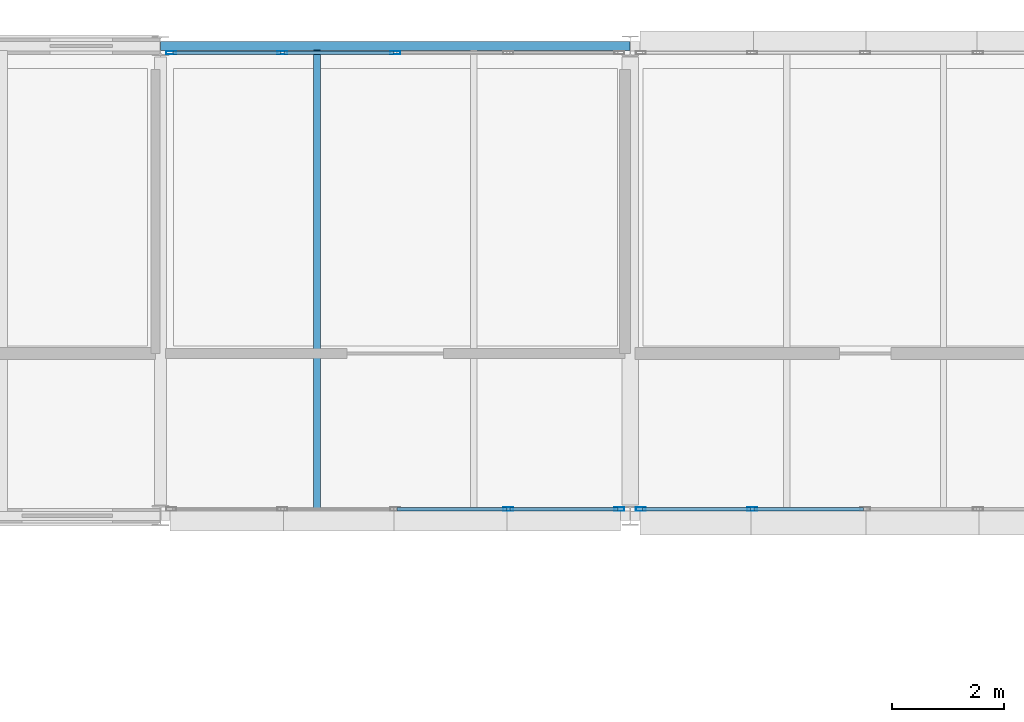
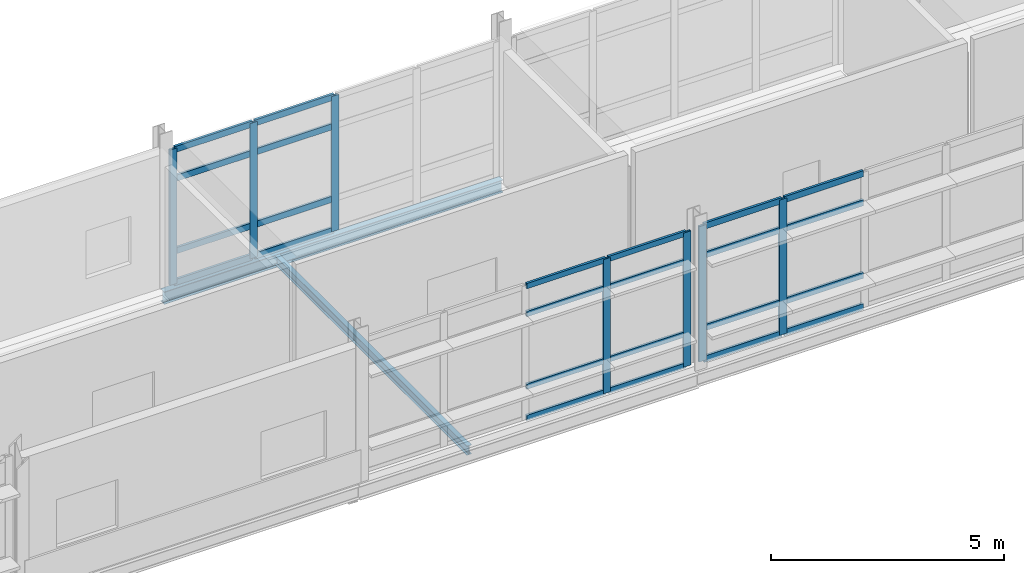
# One storey, part 16 of 66: 31 members, 2 beams, 3 elements without a shape of their own.
"""IFC4 building model written with IfcOpenShell, lengths in metres."""

from ifc_helpers import new_model, si_unit, direction, frame, origin, origin_2d, place, context, subcontext, project, spatial, hollow_rectangle, i_section, extrude, material, material_profile, profile_set, type_object, element, aggregate, save


model = new_model("IFC4")

# Units and contexts
model_context = context("Model", 3, precision=1e-05, world=origin(), true_north=direction((0.0, 1.0)))
body_context = subcontext(model_context, "Body", "Model", "MODEL_VIEW")
ifc_project = project(units=[si_unit("LENGTHUNIT", "METRE"), si_unit("AREAUNIT", "SQUARE_METRE"), si_unit("VOLUMEUNIT", "CUBIC_METRE"), si_unit("PLANEANGLEUNIT", "RADIAN"), si_unit("MASSUNIT", "GRAM", prefix="KILO")], contexts=[model_context])

# Site, building, storey
site_placement = place(None, origin())
site = spatial("IfcSite", under=ifc_project, at=site_placement, CompositionType="ELEMENT")
building_placement = place(site_placement, origin())
building = spatial("IfcBuilding", under=site, at=building_placement, Name="Mersafa Astral City Hall", CompositionType="ELEMENT")
storey_placement = place(building_placement, frame((0.0, 0.0, 22.050048828125)))
storey = spatial("IfcBuildingStorey", under=building, at=storey_placement, Name="L05", CompositionType="ELEMENT", Elevation=22.050048828125)

# Curtain wall, members
ifc_material_1 = material(Name="Anodised bronze aluminium framing", Category="aluminium")
curtain_wall_type_1 = type_object("IfcCurtainWallType", Name="ENV-CW-5", PredefinedType="USERDEFINED", material=ifc_material_1)
curtain_wall_1_placement = place(storey_placement, origin())
curtain_wall_1 = element("IfcCurtainWall", 1, at=curtain_wall_1_placement, inside=storey, type_object=curtain_wall_type_1, Name="L05 Unitised solar curtain wall 232", ObjectType="UNITISED CURTAIN WALL", PredefinedType="USERDEFINED")
ifc_material_profile_1 = material_profile(ifc_material_1, hollow_rectangle(XDim=0.06005859375, YDim=0.179931640625, WallThickness=0.00390625, at=origin_2d()), Name="RHS 60x180x4")
ifc_profile_set_1 = profile_set([ifc_material_profile_1], Name="Anodised bronze aluminium framing")
member_type_1 = type_object("IfcMemberType", Name="ENV-CW-MUL-1", PredefinedType="MULLION", material=ifc_profile_set_1)
member_1_placement = place(storey_placement, frame((88.199951171875, 125.8798828125, -0.001953125), z_axis=(0.0, 0.0, 1.0), x_axis=(0.0, -1.0, 0.0)))
member_1 = element("IfcMember", 2, at=member_1_placement, type_object=member_type_1, Name="CW-5 mullion 3", PredefinedType="MULLION", context=body_context, shape_type="SweptSolid", body=[
    extrude(hollow_rectangle(XDim=0.06005859375, YDim=0.179931640625, WallThickness=0.00390625, at=origin_2d()), origin(), (0.0, 0.0, 1.0), 3.5439453125),
])
member_2_placement = place(storey_placement, frame((86.180908203125, 125.8798828125, -0.001953125), z_axis=(0.0, 0.0, 1.0), x_axis=(0.0, -1.0, 0.0)))
member_2 = element("IfcMember", 3, at=member_2_placement, type_object=member_type_1, Name="CW-5 mullion 4", PredefinedType="MULLION", context=body_context, shape_type="SweptSolid", body=[
    extrude(hollow_rectangle(XDim=0.06005859375, YDim=0.179931640625, WallThickness=0.00390625, at=origin_2d()), origin(), (0.0, 0.0, 1.0), 3.5439453125),
])
member_3_placement = place(storey_placement, frame((84.19189453125, 125.8798828125, -0.001953125), z_axis=(0.0, 0.0, 1.0), x_axis=(0.0, -1.0, 0.0)))
member_3 = element("IfcMember", 4, at=member_3_placement, type_object=member_type_1, Name="CW-5 mullion 5", PredefinedType="MULLION", context=body_context, shape_type="SweptSolid", body=[
    extrude(hollow_rectangle(XDim=0.06005859375, YDim=0.179931640625, WallThickness=0.00390625, at=origin_2d()), origin(), (0.0, 0.0, 1.0), 3.5439453125),
])

curtain_wall_type_2 = type_object("IfcCurtainWallType", Name="ENV-CW-4", PredefinedType="USERDEFINED", material=ifc_material_1)
curtain_wall_2_placement = place(storey_placement, origin())
curtain_wall_2 = element("IfcCurtainWall", 5, at=curtain_wall_2_placement, inside=storey, type_object=curtain_wall_type_2, Name="L05 Unitised solar curtain wall 237", ObjectType="UNITISED CURTAIN WALL", PredefinedType="USERDEFINED")
member_4_placement = place(storey_placement, frame((90.218994140625, 117.719970703125, -0.001953125), z_axis=(0.0, 0.0, 1.0), x_axis=(0.0, 1.0, 0.0)))
member_4 = element("IfcMember", 6, at=member_4_placement, type_object=member_type_1, Name="CW-4 mullion 4", PredefinedType="MULLION", context=body_context, shape_type="SweptSolid", body=[
    extrude(hollow_rectangle(XDim=0.06005859375, YDim=0.179931640625, WallThickness=0.00390625, at=origin_2d()), origin(), (0.0, 0.0, 1.0), 3.513916015625),
])
member_5_placement = place(storey_placement, frame((92.2080078125, 117.719970703125, -0.001953125), z_axis=(0.0, 0.0, 1.0), x_axis=(0.0, 1.0, 0.0)))
member_5 = element("IfcMember", 7, at=member_5_placement, type_object=member_type_1, Name="CW-4 mullion 5", PredefinedType="MULLION", context=body_context, shape_type="SweptSolid", body=[
    extrude(hollow_rectangle(XDim=0.06005859375, YDim=0.179931640625, WallThickness=0.00390625, at=origin_2d()), origin(), (0.0, 0.0, 1.0), 3.513916015625),
])

curtain_wall_3_placement = place(storey_placement, origin())
curtain_wall_3 = element("IfcCurtainWall", 8, at=curtain_wall_3_placement, inside=storey, type_object=curtain_wall_type_1, Name="L05 Unitised solar curtain wall 238", ObjectType="UNITISED CURTAIN WALL", PredefinedType="USERDEFINED")
member_6_placement = place(storey_placement, frame((92.592041015625, 117.719970703125, -0.001953125), z_axis=(0.0, 0.0, 1.0), x_axis=(0.0, 1.0, 0.0)))
member_6 = element("IfcMember", 9, at=member_6_placement, type_object=member_type_1, Name="CW-5 mullion 1", PredefinedType="MULLION", context=body_context, shape_type="SweptSolid", body=[
    extrude(hollow_rectangle(XDim=0.06005859375, YDim=0.179931640625, WallThickness=0.00390625, at=origin_2d()), origin(), (0.0, 0.0, 1.0), 3.5439453125),
])
member_7_placement = place(storey_placement, frame((94.5810546875, 117.719970703125, -0.001953125), z_axis=(0.0, 0.0, 1.0), x_axis=(0.0, 1.0, 0.0)))
member_7 = element("IfcMember", 10, at=member_7_placement, type_object=member_type_1, Name="CW-5 mullion 2", PredefinedType="MULLION", context=body_context, shape_type="SweptSolid", body=[
    extrude(hollow_rectangle(XDim=0.06005859375, YDim=0.179931640625, WallThickness=0.00390625, at=origin_2d()), origin(), (0.0, 0.0, 1.0), 3.5439453125),
])

# Member
ifc_material_profile_2 = material_profile(ifc_material_1, hollow_rectangle(XDim=0.06005859375, YDim=0.139892578125, WallThickness=0.00390625, at=origin_2d()), Name="RHS 60x140x4")
ifc_profile_set_2 = profile_set([ifc_material_profile_2], Name="Anodised bronze aluminium framing")
member_type_2 = type_object("IfcMemberType", Name="ENV-CW-TRN-1", PredefinedType="USERDEFINED", material=ifc_profile_set_2)
member_8_placement = place(storey_placement, frame((88.22998046875, 117.719970703125, 0.02783203125), z_axis=(1.0, 0.0, 0.0), x_axis=(0.0, 1.0, 0.0)))
member_8 = element("IfcMember", 11, at=member_8_placement, type_object=member_type_2, Name="CW-4 transom 3.1", ObjectType="TRANSOM", PredefinedType="USERDEFINED", context=body_context, shape_type="SweptSolid", body=[
    extrude(hollow_rectangle(XDim=0.06005859375, YDim=0.139892578125, WallThickness=0.00390625, at=origin_2d()), origin(), (0.0, 0.0, 1.0), 1.958984375),
])

member_9_placement = place(storey_placement, frame((88.22998046875, 117.719970703125, 0.849853515625), z_axis=(1.0, 0.0, 0.0), x_axis=(0.0, 1.0, 0.0)))
member_9 = element("IfcMember", 12, at=member_9_placement, type_object=member_type_2, Name="CW-4 transom 3.2", ObjectType="TRANSOM", PredefinedType="USERDEFINED", context=body_context, shape_type="SweptSolid", body=[
    extrude(hollow_rectangle(XDim=0.06005859375, YDim=0.139892578125, WallThickness=0.00390625, at=origin_2d()), origin(), (0.0, 0.0, 1.0), 1.958984375),
])

member_10_placement = place(storey_placement, frame((88.22998046875, 117.719970703125, 2.75), z_axis=(1.0, 0.0, 0.0), x_axis=(0.0, 1.0, 0.0)))
member_10 = element("IfcMember", 13, at=member_10_placement, type_object=member_type_2, Name="CW-4 transom 3.3", ObjectType="TRANSOM", PredefinedType="USERDEFINED", context=body_context, shape_type="SweptSolid", body=[
    extrude(hollow_rectangle(XDim=0.06005859375, YDim=0.139892578125, WallThickness=0.00390625, at=origin_2d()), origin(), (0.0, 0.0, 1.0), 1.958984375),
])

member_11_placement = place(storey_placement, frame((88.22998046875, 117.719970703125, 3.48193359375), z_axis=(1.0, 0.0, 0.0), x_axis=(0.0, 1.0, 0.0)))
member_11 = element("IfcMember", 14, at=member_11_placement, type_object=member_type_2, Name="CW-4 transom 3.4", ObjectType="TRANSOM", PredefinedType="USERDEFINED", context=body_context, shape_type="SweptSolid", body=[
    extrude(hollow_rectangle(XDim=0.06005859375, YDim=0.139892578125, WallThickness=0.00390625, at=origin_2d()), origin(), (0.0, 0.0, 1.0), 1.958984375),
])

member_12_placement = place(storey_placement, frame((90.2490234375, 117.719970703125, 0.02783203125), z_axis=(1.0, 0.0, 0.0), x_axis=(0.0, 1.0, 0.0)))
member_12 = element("IfcMember", 15, at=member_12_placement, type_object=member_type_2, Name="CW-4 transom 4.1", ObjectType="TRANSOM", PredefinedType="USERDEFINED", context=body_context, shape_type="SweptSolid", body=[
    extrude(hollow_rectangle(XDim=0.06005859375, YDim=0.139892578125, WallThickness=0.00390625, at=origin_2d()), origin(), (0.0, 0.0, 1.0), 1.928955078125),
])

member_13_placement = place(storey_placement, frame((90.2490234375, 117.719970703125, 0.849853515625), z_axis=(1.0, 0.0, 0.0), x_axis=(0.0, 1.0, 0.0)))
member_13 = element("IfcMember", 16, at=member_13_placement, type_object=member_type_2, Name="CW-4 transom 4.2", ObjectType="TRANSOM", PredefinedType="USERDEFINED", context=body_context, shape_type="SweptSolid", body=[
    extrude(hollow_rectangle(XDim=0.06005859375, YDim=0.139892578125, WallThickness=0.00390625, at=origin_2d()), origin(), (0.0, 0.0, 1.0), 1.928955078125),
])

member_14_placement = place(storey_placement, frame((90.2490234375, 117.719970703125, 2.75), z_axis=(1.0, 0.0, 0.0), x_axis=(0.0, 1.0, 0.0)))
member_14 = element("IfcMember", 17, at=member_14_placement, type_object=member_type_2, Name="CW-4 transom 4.3", ObjectType="TRANSOM", PredefinedType="USERDEFINED", context=body_context, shape_type="SweptSolid", body=[
    extrude(hollow_rectangle(XDim=0.06005859375, YDim=0.139892578125, WallThickness=0.00390625, at=origin_2d()), origin(), (0.0, 0.0, 1.0), 1.928955078125),
])

member_15_placement = place(storey_placement, frame((90.2490234375, 117.719970703125, 3.48193359375), z_axis=(1.0, 0.0, 0.0), x_axis=(0.0, 1.0, 0.0)))
member_15 = element("IfcMember", 18, at=member_15_placement, type_object=member_type_2, Name="CW-4 transom 4.4", ObjectType="TRANSOM", PredefinedType="USERDEFINED", context=body_context, shape_type="SweptSolid", body=[
    extrude(hollow_rectangle(XDim=0.06005859375, YDim=0.139892578125, WallThickness=0.00390625, at=origin_2d()), origin(), (0.0, 0.0, 1.0), 1.928955078125),
])

aggregate(curtain_wall_2, [member_4, member_5, member_8, member_9, member_10, member_11, member_12, member_13, member_14, member_15])

ifc_material_profile_3 = material_profile(ifc_material_1, hollow_rectangle(XDim=0.06005859375, YDim=0.159912109375, WallThickness=0.00390625, at=origin_2d()), Name="RHS 60x160x4")
ifc_profile_set_3 = profile_set([ifc_material_profile_3], Name="Anodised bronze aluminium framing")
member_type_3 = type_object("IfcMemberType", Name="ENV-CW-TRN-2", PredefinedType="USERDEFINED", material=ifc_profile_set_3)
member_16_placement = place(storey_placement, frame((88.169921875, 125.8798828125, 0.02783203125), z_axis=(-1.0, 0.0, 0.0), x_axis=(0.0, -1.0, 0.0)))
member_16 = element("IfcMember", 19, at=member_16_placement, type_object=member_type_3, Name="CW-5 transom 3.1", ObjectType="TRANSOM", PredefinedType="USERDEFINED", context=body_context, shape_type="SweptSolid", body=[
    extrude(hollow_rectangle(XDim=0.06005859375, YDim=0.159912109375, WallThickness=0.00390625, at=origin_2d()), origin(), (0.0, 0.0, 1.0), 1.958984375),
])

member_17_placement = place(storey_placement, frame((88.169921875, 125.8798828125, 0.849853515625), z_axis=(-1.0, 0.0, 0.0), x_axis=(0.0, -1.0, 0.0)))
member_17 = element("IfcMember", 20, at=member_17_placement, type_object=member_type_3, Name="CW-5 transom 3.2", ObjectType="TRANSOM", PredefinedType="USERDEFINED", context=body_context, shape_type="SweptSolid", body=[
    extrude(hollow_rectangle(XDim=0.06005859375, YDim=0.159912109375, WallThickness=0.00390625, at=origin_2d()), origin(), (0.0, 0.0, 1.0), 1.958984375),
])

member_18_placement = place(storey_placement, frame((88.169921875, 125.8798828125, 2.75), z_axis=(-1.0, 0.0, 0.0), x_axis=(0.0, -1.0, 0.0)))
member_18 = element("IfcMember", 21, at=member_18_placement, type_object=member_type_3, Name="CW-5 transom 3.3", ObjectType="TRANSOM", PredefinedType="USERDEFINED", context=body_context, shape_type="SweptSolid", body=[
    extrude(hollow_rectangle(XDim=0.06005859375, YDim=0.159912109375, WallThickness=0.00390625, at=origin_2d()), origin(), (0.0, 0.0, 1.0), 1.958984375),
])

member_19_placement = place(storey_placement, frame((88.169921875, 125.8798828125, 3.511962890625), z_axis=(-1.0, 0.0, 0.0), x_axis=(0.0, -1.0, 0.0)))
member_19 = element("IfcMember", 22, at=member_19_placement, type_object=member_type_3, Name="CW-5 transom 3.4", ObjectType="TRANSOM", PredefinedType="USERDEFINED", context=body_context, shape_type="SweptSolid", body=[
    extrude(hollow_rectangle(XDim=0.06005859375, YDim=0.159912109375, WallThickness=0.00390625, at=origin_2d()), origin(), (0.0, 0.0, 1.0), 1.958984375),
])

member_20_placement = place(storey_placement, frame((86.15087890625, 125.8798828125, 0.02783203125), z_axis=(-1.0, 0.0, 0.0), x_axis=(0.0, -1.0, 0.0)))
member_20 = element("IfcMember", 23, at=member_20_placement, type_object=member_type_3, Name="CW-5 transom 4.1", ObjectType="TRANSOM", PredefinedType="USERDEFINED", context=body_context, shape_type="SweptSolid", body=[
    extrude(hollow_rectangle(XDim=0.06005859375, YDim=0.159912109375, WallThickness=0.00390625, at=origin_2d()), origin(), (0.0, 0.0, 1.0), 1.928955078125),
])

member_21_placement = place(storey_placement, frame((86.15087890625, 125.8798828125, 0.849853515625), z_axis=(-1.0, 0.0, 0.0), x_axis=(0.0, -1.0, 0.0)))
member_21 = element("IfcMember", 24, at=member_21_placement, type_object=member_type_3, Name="CW-5 transom 4.2", ObjectType="TRANSOM", PredefinedType="USERDEFINED", context=body_context, shape_type="SweptSolid", body=[
    extrude(hollow_rectangle(XDim=0.06005859375, YDim=0.159912109375, WallThickness=0.00390625, at=origin_2d()), origin(), (0.0, 0.0, 1.0), 1.928955078125),
])

member_22_placement = place(storey_placement, frame((86.15087890625, 125.8798828125, 2.75), z_axis=(-1.0, 0.0, 0.0), x_axis=(0.0, -1.0, 0.0)))
member_22 = element("IfcMember", 25, at=member_22_placement, type_object=member_type_3, Name="CW-5 transom 4.3", ObjectType="TRANSOM", PredefinedType="USERDEFINED", context=body_context, shape_type="SweptSolid", body=[
    extrude(hollow_rectangle(XDim=0.06005859375, YDim=0.159912109375, WallThickness=0.00390625, at=origin_2d()), origin(), (0.0, 0.0, 1.0), 1.928955078125),
])

member_23_placement = place(storey_placement, frame((86.15087890625, 125.8798828125, 3.511962890625), z_axis=(-1.0, 0.0, 0.0), x_axis=(0.0, -1.0, 0.0)))
member_23 = element("IfcMember", 26, at=member_23_placement, type_object=member_type_3, Name="CW-5 transom 4.4", ObjectType="TRANSOM", PredefinedType="USERDEFINED", context=body_context, shape_type="SweptSolid", body=[
    extrude(hollow_rectangle(XDim=0.06005859375, YDim=0.159912109375, WallThickness=0.00390625, at=origin_2d()), origin(), (0.0, 0.0, 1.0), 1.928955078125),
])

aggregate(curtain_wall_1, [member_1, member_2, member_3, member_16, member_17, member_18, member_19, member_20, member_21, member_22, member_23])

member_24_placement = place(storey_placement, frame((92.6220703125, 117.719970703125, 0.02783203125), z_axis=(1.0, 0.0, 0.0), x_axis=(0.0, 1.0, 0.0)))
member_24 = element("IfcMember", 27, at=member_24_placement, type_object=member_type_3, Name="CW-5 transom 1.1", ObjectType="TRANSOM", PredefinedType="USERDEFINED", context=body_context, shape_type="SweptSolid", body=[
    extrude(hollow_rectangle(XDim=0.06005859375, YDim=0.159912109375, WallThickness=0.00390625, at=origin_2d()), origin(), (0.0, 0.0, 1.0), 1.928955078125),
])

member_25_placement = place(storey_placement, frame((92.6220703125, 117.719970703125, 0.849853515625), z_axis=(1.0, 0.0, 0.0), x_axis=(0.0, 1.0, 0.0)))
member_25 = element("IfcMember", 28, at=member_25_placement, type_object=member_type_3, Name="CW-5 transom 1.2", ObjectType="TRANSOM", PredefinedType="USERDEFINED", context=body_context, shape_type="SweptSolid", body=[
    extrude(hollow_rectangle(XDim=0.06005859375, YDim=0.159912109375, WallThickness=0.00390625, at=origin_2d()), origin(), (0.0, 0.0, 1.0), 1.928955078125),
])

member_26_placement = place(storey_placement, frame((92.6220703125, 117.719970703125, 2.75), z_axis=(1.0, 0.0, 0.0), x_axis=(0.0, 1.0, 0.0)))
member_26 = element("IfcMember", 29, at=member_26_placement, type_object=member_type_3, Name="CW-5 transom 1.3", ObjectType="TRANSOM", PredefinedType="USERDEFINED", context=body_context, shape_type="SweptSolid", body=[
    extrude(hollow_rectangle(XDim=0.06005859375, YDim=0.159912109375, WallThickness=0.00390625, at=origin_2d()), origin(), (0.0, 0.0, 1.0), 1.928955078125),
])

member_27_placement = place(storey_placement, frame((92.6220703125, 117.719970703125, 3.511962890625), z_axis=(1.0, 0.0, 0.0), x_axis=(0.0, 1.0, 0.0)))
member_27 = element("IfcMember", 30, at=member_27_placement, type_object=member_type_3, Name="CW-5 transom 1.4", ObjectType="TRANSOM", PredefinedType="USERDEFINED", context=body_context, shape_type="SweptSolid", body=[
    extrude(hollow_rectangle(XDim=0.06005859375, YDim=0.159912109375, WallThickness=0.00390625, at=origin_2d()), origin(), (0.0, 0.0, 1.0), 1.928955078125),
])

member_28_placement = place(storey_placement, frame((94.611083984375, 117.719970703125, 0.02783203125), z_axis=(1.0, 0.0, 0.0), x_axis=(0.0, 1.0, 0.0)))
member_28 = element("IfcMember", 31, at=member_28_placement, type_object=member_type_3, Name="CW-5 transom 2.1", ObjectType="TRANSOM", PredefinedType="USERDEFINED", context=body_context, shape_type="SweptSolid", body=[
    extrude(hollow_rectangle(XDim=0.06005859375, YDim=0.159912109375, WallThickness=0.00390625, at=origin_2d()), origin(), (0.0, 0.0, 1.0), 1.958984375),
])

member_29_placement = place(storey_placement, frame((94.611083984375, 117.719970703125, 0.849853515625), z_axis=(1.0, 0.0, 0.0), x_axis=(0.0, 1.0, 0.0)))
member_29 = element("IfcMember", 32, at=member_29_placement, type_object=member_type_3, Name="CW-5 transom 2.2", ObjectType="TRANSOM", PredefinedType="USERDEFINED", context=body_context, shape_type="SweptSolid", body=[
    extrude(hollow_rectangle(XDim=0.06005859375, YDim=0.159912109375, WallThickness=0.00390625, at=origin_2d()), origin(), (0.0, 0.0, 1.0), 1.958984375),
])

member_30_placement = place(storey_placement, frame((94.611083984375, 117.719970703125, 2.75), z_axis=(1.0, 0.0, 0.0), x_axis=(0.0, 1.0, 0.0)))
member_30 = element("IfcMember", 33, at=member_30_placement, type_object=member_type_3, Name="CW-5 transom 2.3", ObjectType="TRANSOM", PredefinedType="USERDEFINED", context=body_context, shape_type="SweptSolid", body=[
    extrude(hollow_rectangle(XDim=0.06005859375, YDim=0.159912109375, WallThickness=0.00390625, at=origin_2d()), origin(), (0.0, 0.0, 1.0), 1.958984375),
])

member_31_placement = place(storey_placement, frame((94.611083984375, 117.719970703125, 3.511962890625), z_axis=(1.0, 0.0, 0.0), x_axis=(0.0, 1.0, 0.0)))
member_31 = element("IfcMember", 34, at=member_31_placement, type_object=member_type_3, Name="CW-5 transom 2.4", ObjectType="TRANSOM", PredefinedType="USERDEFINED", context=body_context, shape_type="SweptSolid", body=[
    extrude(hollow_rectangle(XDim=0.06005859375, YDim=0.159912109375, WallThickness=0.00390625, at=origin_2d()), origin(), (0.0, 0.0, 1.0), 1.958984375),
])

aggregate(curtain_wall_3, [member_6, member_7, member_24, member_25, member_26, member_27, member_28, member_29, member_30, member_31])

# Beams
ifc_material_2 = material(Name="Steel S355", Category="steel")
ifc_material_profile_4 = material_profile(ifc_material_2, i_section(OverallWidth=0.1201171875, OverallDepth=0.239990234375, WebThickness=0.006103515625, FlangeThickness=0.009765625, FilletRadius=0.014892578125, at=origin_2d()), Name="IPE 240")
ifc_profile_set_4 = profile_set([ifc_material_profile_4], Name="Steel S355")
beam_type_1 = type_object("IfcBeamType", Name="STR-BM-JOIST-IPE240", PredefinedType="JOIST", material=ifc_profile_set_4)
beam_1_placement = place(storey_placement, frame((86.800048828125, 117.679931640625, -0.300048828125), z_axis=(0.0, 1.0, 0.0), x_axis=(-1.0, 0.0, 0.0)))
element("IfcBeam", 35, at=beam_1_placement, inside=storey, type_object=beam_type_1, Name="L05 Composite secondary floor joist 795", PredefinedType="JOIST", context=body_context, shape_type="SweptSolid", body=[
    extrude(i_section(OverallWidth=0.1201171875, OverallDepth=0.239990234375, WebThickness=0.006103515625, FlangeThickness=0.009765625, FilletRadius=0.014892578125, at=origin_2d()), origin(), (0.0, 0.0, 1.0), 8.2451171875),
])
ifc_material_profile_5 = material_profile(ifc_material_2, i_section(OverallWidth=0.159912109375, OverallDepth=0.330078125, WebThickness=0.007568359375, FlangeThickness=0.011474609375, FilletRadius=0.01806640625, at=origin_2d()), Name="IPE 330")
ifc_profile_set_5 = profile_set([ifc_material_profile_5], Name="Steel S355")
beam_type_2 = type_object("IfcBeamType", Name="STR-BM-SPANDREL-IPE330", PredefinedType="SPANDREL", material=ifc_profile_set_5)
beam_2_placement = place(storey_placement, frame((84.0029296875, 126.0, -0.344970703125), z_axis=(1.0, 0.0, 0.0), x_axis=(0.0, 1.0, 0.0)))
element("IfcBeam", 36, at=beam_2_placement, inside=storey, type_object=beam_type_2, Name="L05 Primary girder X 10-15", PredefinedType="SPANDREL", context=body_context, shape_type="SweptSolid", body=[
    extrude(i_section(OverallWidth=0.159912109375, OverallDepth=0.330078125, WebThickness=0.007568359375, FlangeThickness=0.011474609375, FilletRadius=0.01806640625, at=origin_2d()), origin(), (0.0, 0.0, 1.0), 8.39404296875),
])

save(model, "model.ifc")
